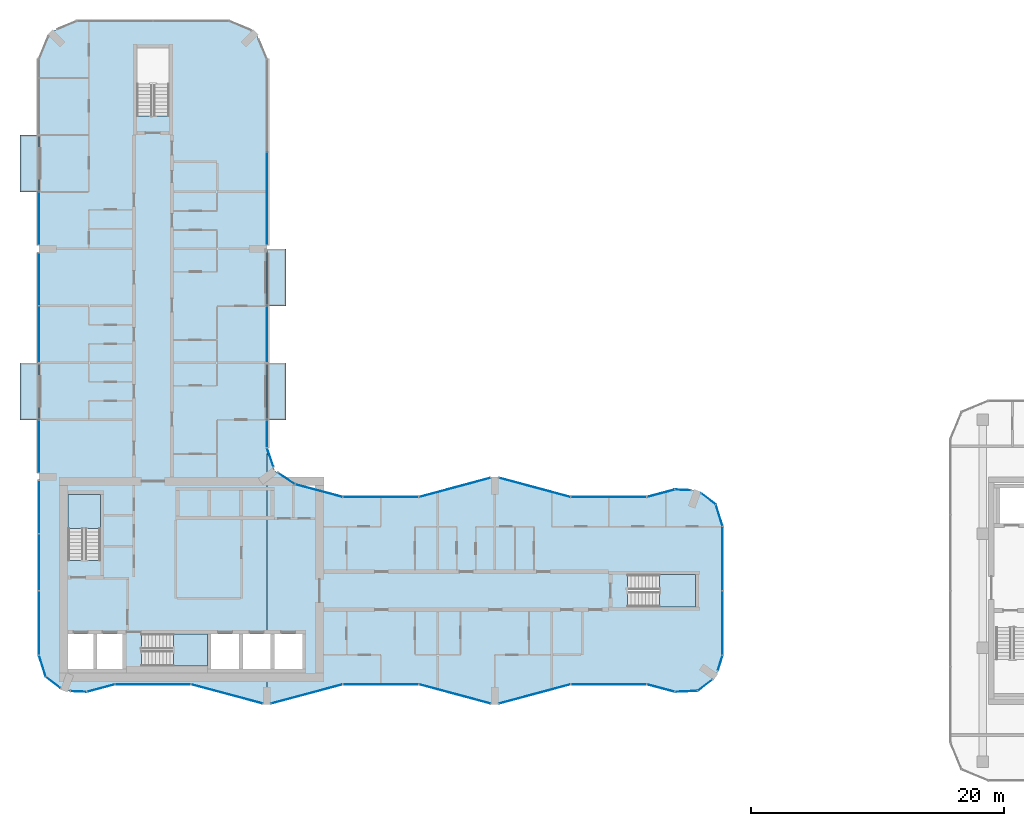
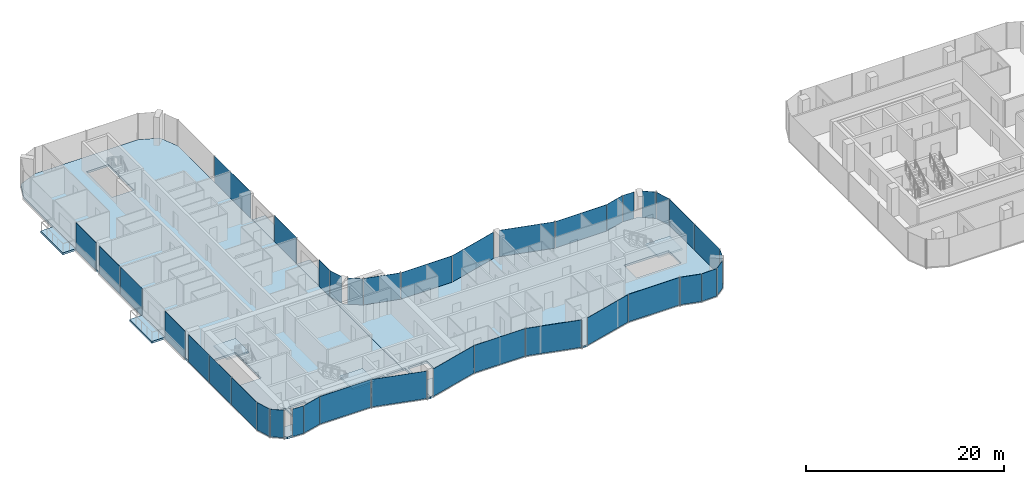
# One storey, part 11 of 23: 38 plates, 9 slabs, 37 elements without a shape of their own.
"""IFC4 building model written with IfcOpenShell, lengths in metres."""

from ifc_helpers import new_model, si_unit, direction, frame, origin, origin_2d, place, context, subcontext, project, spatial, polyline, rectangle, outline, extrude, material, layer, layer_set, type_object, element, aggregate, save


model = new_model("IFC4")

# Units and contexts
model_context = context("Model", 3, precision=1e-05, world=origin(), true_north=direction((0.0, 1.0)))
body_context = subcontext(model_context, "Body", "Model", "MODEL_VIEW")
ifc_project = project(units=[si_unit("LENGTHUNIT", "METRE"), si_unit("AREAUNIT", "SQUARE_METRE"), si_unit("VOLUMEUNIT", "CUBIC_METRE"), si_unit("PLANEANGLEUNIT", "RADIAN"), si_unit("MASSUNIT", "GRAM", prefix="KILO")], contexts=[model_context])

# Site, building, storey
site_placement = place(None, origin())
site = spatial("IfcSite", under=ifc_project, at=site_placement, CompositionType="ELEMENT")
building_placement = place(site_placement, origin())
building = spatial("IfcBuilding", under=site, at=building_placement, Name="Plateau Cross Towers", CompositionType="ELEMENT")
storey_placement = place(building_placement, frame((0.0, 0.0, 81.800048828125)))
storey = spatial("IfcBuildingStorey", under=building, at=storey_placement, Name="L20", CompositionType="ELEMENT", Elevation=81.800048828125)

# Slabs
ifc_material_1 = material(Name="Concrete C40/50", Category="concrete")
ifc_layer_1 = layer(ifc_material_1, 0.25)
ifc_layer_set_1 = layer_set([ifc_layer_1], Name="Concrete C40/50")
slab_type_1 = type_object("IfcSlabType", Name="Balcony slab 250", PredefinedType="FLOOR", material=ifc_layer_set_1)
slab_1_placement = place(storey_placement, frame((0.0, 0.0, -0.25)))
element("IfcSlab", 1, at=slab_1_placement, inside=storey, type_object=slab_type_1, Name="Balcony slab A-BAL-L20-01", PredefinedType="FLOOR", context=body_context, shape_type="SweptSolid", body=[
    extrude(outline(polyline([(0.0, 22.5), (0.0, 27.0), (-1.5, 27.0), (-1.5, 22.5), (0.0, 22.5)])), origin(), (0.0, 0.0, 1.0), 0.25),
])
slab_2_placement = place(storey_placement, frame((0.0, 0.0, -0.25)))
element("IfcSlab", 2, at=slab_2_placement, inside=storey, type_object=slab_type_1, Name="Balcony slab A-BAL-L20-02", PredefinedType="FLOOR", context=body_context, shape_type="SweptSolid", body=[
    extrude(outline(polyline([(0.0, 40.5), (0.0, 45.0), (-1.5, 45.0), (-1.5, 40.5), (0.0, 40.5)])), origin(), (0.0, 0.0, 1.0), 0.25),
])
slab_3_placement = place(storey_placement, frame((0.0, 0.0, -0.25)))
element("IfcSlab", 3, at=slab_3_placement, inside=storey, type_object=slab_type_1, Name="Balcony slab A-BAL-L20-03", PredefinedType="FLOOR", context=body_context, shape_type="SweptSolid", body=[
    extrude(outline(polyline([(19.5, 22.5), (19.5, 27.0), (18.0, 27.0), (18.0, 22.5), (19.5, 22.5)])), origin(), (0.0, 0.0, 1.0), 0.25),
])
slab_4_placement = place(storey_placement, frame((0.0, 0.0, -0.25)))
element("IfcSlab", 4, at=slab_4_placement, inside=storey, type_object=slab_type_1, Name="Balcony slab A-BAL-L20-04", PredefinedType="FLOOR", context=body_context, shape_type="SweptSolid", body=[
    extrude(outline(polyline([(19.5, 31.5), (19.5, 36.0), (18.0, 36.0), (18.0, 31.5), (19.5, 31.5)])), origin(), (0.0, 0.0, 1.0), 0.25),
])

# Curtain wall, plate
ifc_material_2 = material(Name="Dark low-iron glass", Category="glass")
ifc_layer_2 = layer(ifc_material_2, 0.239990234375)
ifc_layer_set_2 = layer_set([ifc_layer_2], Name="Dark low-iron glass")
curtain_wall_type_1 = type_object("IfcCurtainWallType", Name="Curtain wall flush unitised CW-B", PredefinedType="NOTDEFINED", material=ifc_layer_set_2)
curtain_wall_1_placement = place(storey_placement, origin())
curtain_wall_1 = element("IfcCurtainWall", 5, at=curtain_wall_1_placement, inside=storey, type_object=curtain_wall_type_1, Name="ENV/A/L20/A502_10", PredefinedType="NOTDEFINED")
ifc_layer_3 = layer(ifc_material_2, 0.031982421875)
ifc_layer_set_3 = layer_set([ifc_layer_3], Name="Dark low-iron glass")
plate_type_1 = type_object("IfcPlateType", Name="Glass panel 32 flush unitised", PredefinedType="CURTAIN_PANEL", material=ifc_layer_set_3)
plate_1_placement = place(storey_placement, frame((51.125, 1.05078125, -0.1298828125), z_axis=(0.0, 0.0, 1.0), x_axis=(0.999043701491, 0.043722791671, 0.0)))
plate_1 = element("IfcPlate", 6, at=plate_1_placement, type_object=plate_type_1, Name="CW-B panel 1", PredefinedType="CURTAIN_PANEL", context=body_context, shape_type="SweptSolid", body=[
    extrude(rectangle(XDim=1.744140625, YDim=0.031982421875, at=origin_2d()), origin(), (0.0, 0.0, 1.0), 3.3798828125),
])
aggregate(curtain_wall_1, [plate_1])

curtain_wall_2_placement = place(storey_placement, origin())
curtain_wall_2 = element("IfcCurtainWall", 7, at=curtain_wall_2_placement, inside=storey, type_object=curtain_wall_type_1, Name="ENV/A/L20/A520_11", PredefinedType="NOTDEFINED")
plate_2_placement = place(storey_placement, frame((52.60986328125, 1.5380859375, -0.1298828125), z_axis=(0.0, 0.0, 1.0), x_axis=(0.793315514529, 0.608810721331, 0.0)))
plate_2 = element("IfcPlate", 8, at=plate_2_placement, type_object=plate_type_1, Name="CW-B panel 1", PredefinedType="CURTAIN_PANEL", context=body_context, shape_type="SweptSolid", body=[
    extrude(rectangle(XDim=1.41162109375, YDim=0.031982421875, at=origin_2d()), origin(), (0.0, 0.0, 1.0), 3.3798828125),
])
aggregate(curtain_wall_2, [plate_2])

curtain_wall_3_placement = place(storey_placement, origin())
curtain_wall_3 = element("IfcCurtainWall", 9, at=curtain_wall_3_placement, inside=storey, type_object=curtain_wall_type_1, Name="ENV/A/L20/A536_27", PredefinedType="NOTDEFINED")
plate_3_placement = place(storey_placement, frame((53.805419921875, 3.292236328125, -0.1298828125), z_axis=(0.0, 0.0, 1.0), x_axis=(0.300686174994, 0.95372313811, 0.0)))
plate_3 = element("IfcPlate", 10, at=plate_3_placement, type_object=plate_type_1, Name="CW-B panel 1", PredefinedType="CURTAIN_PANEL", context=body_context, shape_type="SweptSolid", body=[
    extrude(rectangle(XDim=1.233642578125, YDim=0.031982421875, at=origin_2d()), origin(), (0.0, 0.0, 1.0), 3.3798828125),
])
aggregate(curtain_wall_3, [plate_3])

# Curtain wall, plates
curtain_wall_4_placement = place(storey_placement, origin())
curtain_wall_4 = element("IfcCurtainWall", 11, at=curtain_wall_4_placement, inside=storey, type_object=curtain_wall_type_1, Name="ENV/A/L20/A540_39", PredefinedType="NOTDEFINED")
plate_4_placement = place(storey_placement, frame((54.0, 6.45458984375, -0.1298828125), z_axis=(0.0, 0.0, 1.0), x_axis=(0.0, 1.0, 0.0)))
plate_4 = element("IfcPlate", 12, at=plate_4_placement, type_object=plate_type_1, Name="CW-B panel 1", PredefinedType="CURTAIN_PANEL", context=body_context, shape_type="SweptSolid", body=[
    extrude(rectangle(XDim=5.03076171875, YDim=0.031982421875, at=origin_2d()), origin(), (0.0, 0.0, 1.0), 3.3798828125),
])
plate_5_placement = place(storey_placement, frame((54.0, 11.54541015625, -0.1298828125), z_axis=(0.0, 0.0, 1.0), x_axis=(0.0, 1.0, 0.0)))
plate_5 = element("IfcPlate", 13, at=plate_5_placement, type_object=plate_type_1, Name="CW-B panel 2", PredefinedType="CURTAIN_PANEL", context=body_context, shape_type="SweptSolid", body=[
    extrude(rectangle(XDim=5.03076171875, YDim=0.031982421875, at=origin_2d()), origin(), (0.0, 0.0, 1.0), 3.3798828125),
])
aggregate(curtain_wall_4, [plate_4, plate_5])

# Curtain wall, plate
curtain_wall_5_placement = place(storey_placement, origin())
curtain_wall_5 = element("IfcCurtainWall", 14, at=curtain_wall_5_placement, inside=storey, type_object=curtain_wall_type_1, Name="ENV/A/L20/A540_141", PredefinedType="NOTDEFINED")
plate_6_placement = place(storey_placement, frame((53.728759765625, 14.951171875, -0.1298828125), z_axis=(0.0, 0.0, 1.0), x_axis=(-0.300686174994, 0.95372313811, 0.0)))
plate_6 = element("IfcPlate", 15, at=plate_6_placement, type_object=plate_type_1, Name="CW-B panel 1", PredefinedType="CURTAIN_PANEL", context=body_context, shape_type="SweptSolid", body=[
    extrude(rectangle(XDim=1.744140625, YDim=0.031982421875, at=origin_2d()), origin(), (0.0, 0.0, 1.0), 3.3798828125),
])
aggregate(curtain_wall_5, [plate_6])

curtain_wall_6_placement = place(storey_placement, origin())
curtain_wall_6 = element("IfcCurtainWall", 16, at=curtain_wall_6_placement, inside=storey, type_object=curtain_wall_type_1, Name="ENV/A/L20/A535_158", PredefinedType="NOTDEFINED")
plate_7_placement = place(storey_placement, frame((52.873779296875, 16.25927734375, -0.1298828125), z_axis=(0.0, 0.0, 1.0), x_axis=(-0.793315514529, 0.608810721331, 0.0)))
plate_7 = element("IfcPlate", 17, at=plate_7_placement, type_object=plate_type_1, Name="CW-B panel 1", PredefinedType="CURTAIN_PANEL", context=body_context, shape_type="SweptSolid", body=[
    extrude(rectangle(XDim=1.41162109375, YDim=0.031982421875, at=origin_2d()), origin(), (0.0, 0.0, 1.0), 3.3798828125),
])
aggregate(curtain_wall_6, [plate_7])

curtain_wall_7_placement = place(storey_placement, origin())
curtain_wall_7 = element("IfcCurtainWall", 18, at=curtain_wall_7_placement, inside=storey, type_object=curtain_wall_type_1, Name="ENV/A/L20/A515_169", PredefinedType="NOTDEFINED")
plate_8_placement = place(storey_placement, frame((50.8701171875, 16.96044921875, -0.1298828125), z_axis=(0.0, 0.0, 1.0), x_axis=(-0.999043701491, 0.043722791671, 0.0)))
plate_8 = element("IfcPlate", 19, at=plate_8_placement, type_object=plate_type_1, Name="CW-B panel 1", PredefinedType="CURTAIN_PANEL", context=body_context, shape_type="SweptSolid", body=[
    extrude(rectangle(XDim=1.233642578125, YDim=0.031982421875, at=origin_2d()), origin(), (0.0, 0.0, 1.0), 3.3798828125),
])
aggregate(curtain_wall_7, [plate_8])

curtain_wall_8_placement = place(storey_placement, origin())
curtain_wall_8 = element("IfcCurtainWall", 20, at=curtain_wall_8_placement, inside=storey, type_object=curtain_wall_type_1, Name="ENV/A/L20/A202_174", PredefinedType="NOTDEFINED")
plate_9_placement = place(storey_placement, frame((19.546630859375, 17.856689453125, -0.1298828125), z_axis=(0.0, 0.0, 1.0), x_axis=(-0.831521253329, 0.555492938984, 0.0)))
plate_9 = element("IfcPlate", 21, at=plate_9_placement, type_object=plate_type_1, Name="CW-B panel 1", PredefinedType="CURTAIN_PANEL", context=body_context, shape_type="SweptSolid", body=[
    extrude(rectangle(XDim=1.56884765625, YDim=0.031982421875, at=origin_2d()), origin(), (0.0, 0.0, 1.0), 3.3798828125),
])
aggregate(curtain_wall_8, [plate_9])

curtain_wall_9_placement = place(storey_placement, origin())
curtain_wall_9 = element("IfcCurtainWall", 22, at=curtain_wall_9_placement, inside=storey, type_object=curtain_wall_type_1, Name="ENV/A/L20/A185_188", PredefinedType="NOTDEFINED")
plate_10_placement = place(storey_placement, frame((18.26171875, 19.531005859375, -0.1298828125), z_axis=(0.0, 0.0, 1.0), x_axis=(-0.321469161574, 0.94692004845, 0.0)))
plate_10 = element("IfcPlate", 23, at=plate_10_placement, type_object=plate_type_1, Name="CW-B panel 1", PredefinedType="CURTAIN_PANEL", context=body_context, shape_type="SweptSolid", body=[
    extrude(rectangle(XDim=1.56884765625, YDim=0.031982421875, at=origin_2d()), origin(), (0.0, 0.0, 1.0), 3.3798828125),
])
aggregate(curtain_wall_9, [plate_10])

curtain_wall_10_placement = place(storey_placement, origin())
curtain_wall_10 = element("IfcCurtainWall", 24, at=curtain_wall_10_placement, inside=storey, type_object=curtain_wall_type_1, Name="ENV/A/L20/A180_203", PredefinedType="NOTDEFINED")
plate_11_placement = place(storey_placement, frame((18.0, 21.396240234375, -0.1298828125), z_axis=(0.0, 0.0, 1.0), x_axis=(0.0, 1.0, 0.0)))
plate_11 = element("IfcPlate", 25, at=plate_11_placement, type_object=plate_type_1, Name="CW-B panel 1", PredefinedType="CURTAIN_PANEL", context=body_context, shape_type="SweptSolid", body=[
    extrude(rectangle(XDim=2.127685546875, YDim=0.031982421875, at=origin_2d()), origin(), (0.0, 0.0, 1.0), 3.3798828125),
])
aggregate(curtain_wall_10, [plate_11])

curtain_wall_11_placement = place(storey_placement, origin())
curtain_wall_11 = element("IfcCurtainWall", 26, at=curtain_wall_11_placement, inside=storey, type_object=curtain_wall_type_1, Name="ENV/A/L20/A180_270", PredefinedType="NOTDEFINED")
plate_12_placement = place(storey_placement, frame((18.0, 29.25, -0.1298828125), z_axis=(0.0, 0.0, 1.0), x_axis=(0.0, 1.0, 0.0)))
plate_12 = element("IfcPlate", 27, at=plate_12_placement, type_object=plate_type_1, Name="CW-B panel 1", PredefinedType="CURTAIN_PANEL", context=body_context, shape_type="SweptSolid", body=[
    extrude(rectangle(XDim=4.419921875, YDim=0.031982421875, at=origin_2d()), origin(), (0.0, 0.0, 1.0), 3.3798828125),
])
aggregate(curtain_wall_11, [plate_12])

curtain_wall_12_placement = place(storey_placement, origin())
curtain_wall_12 = element("IfcCurtainWall", 28, at=curtain_wall_12_placement, inside=storey, type_object=curtain_wall_type_1, Name="ENV/A/L20/A180_363", PredefinedType="NOTDEFINED")
plate_13_placement = place(storey_placement, frame((18.0, 39.97509765625, -0.1298828125), z_axis=(0.0, 0.0, 1.0), x_axis=(0.0, 1.0, 0.0)))
plate_13 = element("IfcPlate", 29, at=plate_13_placement, type_object=plate_type_1, Name="CW-B panel 1", PredefinedType="CURTAIN_PANEL", context=body_context, shape_type="SweptSolid", body=[
    extrude(rectangle(XDim=7.2900390625, YDim=0.031982421875, at=origin_2d()), origin(), (0.0, 0.0, 1.0), 3.3798828125),
])
aggregate(curtain_wall_12, [plate_13])

curtain_wall_13_placement = place(storey_placement, origin())
curtain_wall_13 = element("IfcCurtainWall", 30, at=curtain_wall_13_placement, inside=storey, type_object=curtain_wall_type_1, Name="ENV/A/L20/A0_405", PredefinedType="NOTDEFINED")
plate_14_placement = place(storey_placement, frame((0.0, 38.39501953125, -0.1298828125), z_axis=(0.0, 0.0, 1.0), x_axis=(0.0, -1.0, 0.0)))
plate_14 = element("IfcPlate", 31, at=plate_14_placement, type_object=plate_type_1, Name="CW-B panel 1", PredefinedType="CURTAIN_PANEL", context=body_context, shape_type="SweptSolid", body=[
    extrude(rectangle(XDim=4.1298828125, YDim=0.031982421875, at=origin_2d()), origin(), (0.0, 0.0, 1.0), 3.3798828125),
])
aggregate(curtain_wall_13, [plate_14])

# Curtain wall, plates
curtain_wall_14_placement = place(storey_placement, origin())
curtain_wall_14 = element("IfcCurtainWall", 32, at=curtain_wall_14_placement, inside=storey, type_object=curtain_wall_type_1, Name="ENV/A/L20/A0_357", PredefinedType="NOTDEFINED")
plate_15_placement = place(storey_placement, frame((0.0, 33.60009765625, -0.1298828125), z_axis=(0.0, 0.0, 1.0), x_axis=(0.0, -1.0, 0.0)))
plate_15 = element("IfcPlate", 33, at=plate_15_placement, type_object=plate_type_1, Name="CW-B panel 1", PredefinedType="CURTAIN_PANEL", context=body_context, shape_type="SweptSolid", body=[
    extrude(rectangle(XDim=4.139892578125, YDim=0.031982421875, at=origin_2d()), origin(), (0.0, 0.0, 1.0), 3.3798828125),
])
plate_16_placement = place(storey_placement, frame((0.0, 29.2548828125, -0.1298828125), z_axis=(0.0, 0.0, 1.0), x_axis=(0.0, -1.0, 0.0)))
plate_16 = element("IfcPlate", 34, at=plate_16_placement, type_object=plate_type_1, Name="CW-B panel 2", PredefinedType="CURTAIN_PANEL", context=body_context, shape_type="SweptSolid", body=[
    extrude(rectangle(XDim=4.429931640625, YDim=0.031982421875, at=origin_2d()), origin(), (0.0, 0.0, 1.0), 3.3798828125),
])
aggregate(curtain_wall_14, [plate_15, plate_16])

# Curtain wall, plate
curtain_wall_15_placement = place(storey_placement, origin())
curtain_wall_15 = element("IfcCurtainWall", 35, at=curtain_wall_15_placement, inside=storey, type_object=curtain_wall_type_1, Name="ENV/A/L20/A0_225", PredefinedType="NOTDEFINED")
plate_17_placement = place(storey_placement, frame((0.0, 20.39501953125, -0.1298828125), z_axis=(0.0, 0.0, 1.0), x_axis=(0.0, -1.0, 0.0)))
plate_17 = element("IfcPlate", 36, at=plate_17_placement, type_object=plate_type_1, Name="CW-B panel 1", PredefinedType="CURTAIN_PANEL", context=body_context, shape_type="SweptSolid", body=[
    extrude(rectangle(XDim=4.1298828125, YDim=0.031982421875, at=origin_2d()), origin(), (0.0, 0.0, 1.0), 3.3798828125),
])
aggregate(curtain_wall_15, [plate_17])

# Curtain wall, plates
curtain_wall_16_placement = place(storey_placement, origin())
curtain_wall_16 = element("IfcCurtainWall", 37, at=curtain_wall_16_placement, inside=storey, type_object=curtain_wall_type_1, Name="ENV/A/L20/A0_177", PredefinedType="NOTDEFINED")
plate_18_placement = place(storey_placement, frame((0.0, 15.60009765625, -0.1298828125), z_axis=(0.0, 0.0, 1.0), x_axis=(0.0, -1.0, 0.0)))
plate_18 = element("IfcPlate", 38, at=plate_18_placement, type_object=plate_type_1, Name="CW-B panel 1", PredefinedType="CURTAIN_PANEL", context=body_context, shape_type="SweptSolid", body=[
    extrude(rectangle(XDim=4.139892578125, YDim=0.031982421875, at=origin_2d()), origin(), (0.0, 0.0, 1.0), 3.3798828125),
])
plate_19_placement = place(storey_placement, frame((0.0, 11.25, -0.1298828125), z_axis=(0.0, 0.0, 1.0), x_axis=(0.0, -1.0, 0.0)))
plate_19 = element("IfcPlate", 39, at=plate_19_placement, type_object=plate_type_1, Name="CW-B panel 2", PredefinedType="CURTAIN_PANEL", context=body_context, shape_type="SweptSolid", body=[
    extrude(rectangle(XDim=4.43994140625, YDim=0.031982421875, at=origin_2d()), origin(), (0.0, 0.0, 1.0), 3.3798828125),
])
plate_20_placement = place(storey_placement, frame((0.0, 6.45458984375, -0.1298828125), z_axis=(0.0, 0.0, 1.0), x_axis=(0.0, -1.0, 0.0)))
plate_20 = element("IfcPlate", 40, at=plate_20_placement, type_object=plate_type_1, Name="CW-B panel 3", PredefinedType="CURTAIN_PANEL", context=body_context, shape_type="SweptSolid", body=[
    extrude(rectangle(XDim=5.03076171875, YDim=0.031982421875, at=origin_2d()), origin(), (0.0, 0.0, 1.0), 3.3798828125),
])
aggregate(curtain_wall_16, [plate_18, plate_19, plate_20])

# Curtain wall, plate
curtain_wall_17_placement = place(storey_placement, origin())
curtain_wall_17 = element("IfcCurtainWall", 41, at=curtain_wall_17_placement, inside=storey, type_object=curtain_wall_type_1, Name="ENV/A/L20/A0_39", PredefinedType="NOTDEFINED")
plate_21_placement = place(storey_placement, frame((0.271240234375, 3.048828125, -0.1298828125), z_axis=(0.0, 0.0, 1.0), x_axis=(0.300686174994, -0.95372313811, 0.0)))
plate_21 = element("IfcPlate", 42, at=plate_21_placement, type_object=plate_type_1, Name="CW-B panel 1", PredefinedType="CURTAIN_PANEL", context=body_context, shape_type="SweptSolid", body=[
    extrude(rectangle(XDim=1.744140625, YDim=0.031982421875, at=origin_2d()), origin(), (0.0, 0.0, 1.0), 3.3798828125),
])
aggregate(curtain_wall_17, [plate_21])

curtain_wall_18_placement = place(storey_placement, origin())
curtain_wall_18 = element("IfcCurtainWall", 43, at=curtain_wall_18_placement, inside=storey, type_object=curtain_wall_type_1, Name="ENV/A/L20/A5_22", PredefinedType="NOTDEFINED")
plate_22_placement = place(storey_placement, frame((1.126220703125, 1.74072265625, -0.1298828125), z_axis=(0.0, 0.0, 1.0), x_axis=(0.793315514529, -0.608810721331, 0.0)))
plate_22 = element("IfcPlate", 44, at=plate_22_placement, type_object=plate_type_1, Name="CW-B panel 1", PredefinedType="CURTAIN_PANEL", context=body_context, shape_type="SweptSolid", body=[
    extrude(rectangle(XDim=1.41162109375, YDim=0.031982421875, at=origin_2d()), origin(), (0.0, 0.0, 1.0), 3.3798828125),
])
aggregate(curtain_wall_18, [plate_22])

curtain_wall_19_placement = place(storey_placement, origin())
curtain_wall_19 = element("IfcCurtainWall", 45, at=curtain_wall_19_placement, inside=storey, type_object=curtain_wall_type_1, Name="ENV/A/L20/A25_11", PredefinedType="NOTDEFINED")
plate_23_placement = place(storey_placement, frame((3.1298828125, 1.03955078125, -0.1298828125), z_axis=(0.0, 0.0, 1.0), x_axis=(0.999043701491, -0.043722791671, 0.0)))
plate_23 = element("IfcPlate", 46, at=plate_23_placement, type_object=plate_type_1, Name="CW-B panel 1", PredefinedType="CURTAIN_PANEL", context=body_context, shape_type="SweptSolid", body=[
    extrude(rectangle(XDim=1.233642578125, YDim=0.031982421875, at=origin_2d()), origin(), (0.0, 0.0, 1.0), 3.3798828125),
])
aggregate(curtain_wall_19, [plate_23])

ifc_layer_4 = layer(ifc_material_2, 0.260009765625)
ifc_layer_set_4 = layer_set([ifc_layer_4], Name="Dark low-iron glass")
curtain_wall_type_2 = type_object("IfcCurtainWallType", Name="Curtain wall fluted unitised CW-A", PredefinedType="NOTDEFINED", material=ifc_layer_set_4)
curtain_wall_20_placement = place(storey_placement, origin())
curtain_wall_20 = element("IfcCurtainWall", 47, at=curtain_wall_20_placement, inside=storey, type_object=curtain_wall_type_2, Name="ENV/A/L20/A38_10", PredefinedType="NOTDEFINED")
ifc_layer_5 = layer(ifc_material_2, 0.035888671875)
ifc_layer_set_5 = layer_set([ifc_layer_5], Name="Dark low-iron glass")
plate_type_2 = type_object("IfcPlateType", Name="Glass panel 36 fluted unitised", PredefinedType="CURTAIN_PANEL", material=ifc_layer_set_5)
plate_24_placement = place(storey_placement, frame((4.887939453125, 1.30908203125, -0.1298828125), z_axis=(0.0, 0.0, 1.0), x_axis=(0.965957962328, 0.258699081978, 0.0)))
plate_24 = element("IfcPlate", 48, at=plate_24_placement, type_object=plate_type_2, Name="CW-A panel 1", PredefinedType="CURTAIN_PANEL", context=body_context, shape_type="SweptSolid", body=[
    extrude(rectangle(XDim=2.2421875, YDim=0.035888671875, at=origin_2d()), origin(), (0.0, 0.0, 1.0), 3.3798828125),
])
aggregate(curtain_wall_20, [plate_24])

curtain_wall_21_placement = place(storey_placement, origin())
curtain_wall_21 = element("IfcCurtainWall", 49, at=curtain_wall_21_placement, inside=storey, type_object=curtain_wall_type_2, Name="ENV/A/L20/A60_16", PredefinedType="NOTDEFINED")
plate_25_placement = place(storey_placement, frame((9.0, 1.60693359375, -0.1298828125), z_axis=(0.0, 0.0, 1.0), x_axis=(1.0, 0.0, 0.0)))
plate_25 = element("IfcPlate", 50, at=plate_25_placement, type_object=plate_type_2, Name="CW-A panel 1", PredefinedType="CURTAIN_PANEL", context=body_context, shape_type="SweptSolid", body=[
    extrude(rectangle(XDim=5.93994140625, YDim=0.035888671875, at=origin_2d()), origin(), (0.0, 0.0, 1.0), 3.3798828125),
])
aggregate(curtain_wall_21, [plate_25])

curtain_wall_22_placement = place(storey_placement, origin())
curtain_wall_22 = element("IfcCurtainWall", 51, at=curtain_wall_22_placement, inside=storey, type_object=curtain_wall_type_2, Name="ENV/A/L20/A120_16", PredefinedType="NOTDEFINED")
plate_26_placement = place(storey_placement, frame((14.841064453125, 0.845947265625, -0.1298828125), z_axis=(0.0, 0.0, 1.0), x_axis=(0.965957983404, -0.258699003279, 0.0)))
plate_26 = element("IfcPlate", 52, at=plate_26_placement, type_object=plate_type_2, Name="CW-A panel 1", PredefinedType="CURTAIN_PANEL", context=body_context, shape_type="SweptSolid", body=[
    extrude(rectangle(XDim=5.822265625, YDim=0.035888671875, at=origin_2d()), origin(), (0.0, 0.0, 1.0), 3.3798828125),
])
aggregate(curtain_wall_22, [plate_26])

curtain_wall_23_placement = place(storey_placement, origin())
curtain_wall_23 = element("IfcCurtainWall", 53, at=curtain_wall_23_placement, inside=storey, type_object=curtain_wall_type_2, Name="ENV/A/L20/A183_1", PredefinedType="NOTDEFINED")
plate_27_placement = place(storey_placement, frame((21.158935546875, 0.845947265625, -0.1298828125), z_axis=(0.0, 0.0, 1.0), x_axis=(0.965957983404, 0.258699003279, 0.0)))
plate_27 = element("IfcPlate", 54, at=plate_27_placement, type_object=plate_type_2, Name="CW-A panel 1", PredefinedType="CURTAIN_PANEL", context=body_context, shape_type="SweptSolid", body=[
    extrude(rectangle(XDim=5.822265625, YDim=0.035888671875, at=origin_2d()), origin(), (0.0, 0.0, 1.0), 3.3798828125),
])
aggregate(curtain_wall_23, [plate_27])

curtain_wall_24_placement = place(storey_placement, origin())
curtain_wall_24 = element("IfcCurtainWall", 55, at=curtain_wall_24_placement, inside=storey, type_object=curtain_wall_type_2, Name="ENV/A/L20/A240_16", PredefinedType="NOTDEFINED")
plate_28_placement = place(storey_placement, frame((27.0, 1.60693359375, -0.1298828125), z_axis=(0.0, 0.0, 1.0), x_axis=(1.0, 0.0, 0.0)))
plate_28 = element("IfcPlate", 56, at=plate_28_placement, type_object=plate_type_2, Name="CW-A panel 1", PredefinedType="CURTAIN_PANEL", context=body_context, shape_type="SweptSolid", body=[
    extrude(rectangle(XDim=5.93994140625, YDim=0.035888671875, at=origin_2d()), origin(), (0.0, 0.0, 1.0), 3.3798828125),
])
aggregate(curtain_wall_24, [plate_28])

curtain_wall_25_placement = place(storey_placement, origin())
curtain_wall_25 = element("IfcCurtainWall", 57, at=curtain_wall_25_placement, inside=storey, type_object=curtain_wall_type_2, Name="ENV/A/L20/A300_16", PredefinedType="NOTDEFINED")
plate_29_placement = place(storey_placement, frame((32.841064453125, 0.845947265625, -0.1298828125), z_axis=(0.0, 0.0, 1.0), x_axis=(0.965957983404, -0.258699003279, 0.0)))
plate_29 = element("IfcPlate", 58, at=plate_29_placement, type_object=plate_type_2, Name="CW-A panel 1", PredefinedType="CURTAIN_PANEL", context=body_context, shape_type="SweptSolid", body=[
    extrude(rectangle(XDim=5.822265625, YDim=0.035888671875, at=origin_2d()), origin(), (0.0, 0.0, 1.0), 3.3798828125),
])
aggregate(curtain_wall_25, [plate_29])

curtain_wall_26_placement = place(storey_placement, origin())
curtain_wall_26 = element("IfcCurtainWall", 59, at=curtain_wall_26_placement, inside=storey, type_object=curtain_wall_type_2, Name="ENV/A/L20/A363_1", PredefinedType="NOTDEFINED")
plate_30_placement = place(storey_placement, frame((39.158935546875, 0.845947265625, -0.1298828125), z_axis=(0.0, 0.0, 1.0), x_axis=(0.965957983404, 0.258699003279, 0.0)))
plate_30 = element("IfcPlate", 60, at=plate_30_placement, type_object=plate_type_2, Name="CW-A panel 1", PredefinedType="CURTAIN_PANEL", context=body_context, shape_type="SweptSolid", body=[
    extrude(rectangle(XDim=5.822265625, YDim=0.035888671875, at=origin_2d()), origin(), (0.0, 0.0, 1.0), 3.3798828125),
])
aggregate(curtain_wall_26, [plate_30])

curtain_wall_27_placement = place(storey_placement, origin())
curtain_wall_27 = element("IfcCurtainWall", 61, at=curtain_wall_27_placement, inside=storey, type_object=curtain_wall_type_2, Name="ENV/A/L20/A420_16", PredefinedType="NOTDEFINED")
plate_31_placement = place(storey_placement, frame((45.0, 1.60693359375, -0.1298828125), z_axis=(0.0, 0.0, 1.0), x_axis=(1.0, 0.0, 0.0)))
plate_31 = element("IfcPlate", 62, at=plate_31_placement, type_object=plate_type_2, Name="CW-A panel 1", PredefinedType="CURTAIN_PANEL", context=body_context, shape_type="SweptSolid", body=[
    extrude(rectangle(XDim=5.93994140625, YDim=0.035888671875, at=origin_2d()), origin(), (0.0, 0.0, 1.0), 3.3798828125),
])
aggregate(curtain_wall_27, [plate_31])

curtain_wall_28_placement = place(storey_placement, origin())
curtain_wall_28 = element("IfcCurtainWall", 63, at=curtain_wall_28_placement, inside=storey, type_object=curtain_wall_type_2, Name="ENV/A/L20/A480_16", PredefinedType="NOTDEFINED")
plate_32_placement = place(storey_placement, frame((49.112060546875, 1.30908203125, -0.1298828125), z_axis=(0.0, 0.0, 1.0), x_axis=(0.965957962328, -0.258699081978, 0.0)))
plate_32 = element("IfcPlate", 64, at=plate_32_placement, type_object=plate_type_2, Name="CW-A panel 1", PredefinedType="CURTAIN_PANEL", context=body_context, shape_type="SweptSolid", body=[
    extrude(rectangle(XDim=2.2421875, YDim=0.035888671875, at=origin_2d()), origin(), (0.0, 0.0, 1.0), 3.3798828125),
])
aggregate(curtain_wall_28, [plate_32])

curtain_wall_29_placement = place(storey_placement, origin())
curtain_wall_29 = element("IfcCurtainWall", 65, at=curtain_wall_29_placement, inside=storey, type_object=curtain_wall_type_2, Name="ENV/A/L20/A502_170", PredefinedType="NOTDEFINED")
plate_33_placement = place(storey_placement, frame((49.112060546875, 16.69091796875, -0.1298828125), z_axis=(0.0, 0.0, 1.0), x_axis=(-0.965957962328, -0.258699081978, 0.0)))
plate_33 = element("IfcPlate", 66, at=plate_33_placement, type_object=plate_type_2, Name="CW-A panel 1", PredefinedType="CURTAIN_PANEL", context=body_context, shape_type="SweptSolid", body=[
    extrude(rectangle(XDim=2.2421875, YDim=0.035888671875, at=origin_2d()), origin(), (0.0, 0.0, 1.0), 3.3798828125),
])
aggregate(curtain_wall_29, [plate_33])

curtain_wall_30_placement = place(storey_placement, origin())
curtain_wall_30 = element("IfcCurtainWall", 67, at=curtain_wall_30_placement, inside=storey, type_object=curtain_wall_type_2, Name="ENV/A/L20/A480_164", PredefinedType="NOTDEFINED")
plate_34_placement = place(storey_placement, frame((45.0, 16.39306640625, -0.1298828125), z_axis=(0.0, 0.0, 1.0), x_axis=(-1.0, 0.0, 0.0)))
plate_34 = element("IfcPlate", 68, at=plate_34_placement, type_object=plate_type_2, Name="CW-A panel 1", PredefinedType="CURTAIN_PANEL", context=body_context, shape_type="SweptSolid", body=[
    extrude(rectangle(XDim=5.93994140625, YDim=0.035888671875, at=origin_2d()), origin(), (0.0, 0.0, 1.0), 3.3798828125),
])
aggregate(curtain_wall_30, [plate_34])

curtain_wall_31_placement = place(storey_placement, origin())
curtain_wall_31 = element("IfcCurtainWall", 69, at=curtain_wall_31_placement, inside=storey, type_object=curtain_wall_type_2, Name="ENV/A/L20/A420_164", PredefinedType="NOTDEFINED")
plate_35_placement = place(storey_placement, frame((39.158935546875, 17.154052734375, -0.1298828125), z_axis=(0.0, 0.0, 1.0), x_axis=(-0.965957983404, 0.258699003279, 0.0)))
plate_35 = element("IfcPlate", 70, at=plate_35_placement, type_object=plate_type_2, Name="CW-A panel 1", PredefinedType="CURTAIN_PANEL", context=body_context, shape_type="SweptSolid", body=[
    extrude(rectangle(XDim=5.822265625, YDim=0.035888671875, at=origin_2d()), origin(), (0.0, 0.0, 1.0), 3.3798828125),
])
aggregate(curtain_wall_31, [plate_35])

curtain_wall_32_placement = place(storey_placement, origin())
curtain_wall_32 = element("IfcCurtainWall", 71, at=curtain_wall_32_placement, inside=storey, type_object=curtain_wall_type_2, Name="ENV/A/L20/A357_179", PredefinedType="NOTDEFINED")
plate_36_placement = place(storey_placement, frame((32.841064453125, 17.154052734375, -0.1298828125), z_axis=(0.0, 0.0, 1.0), x_axis=(-0.965957983404, -0.258699003279, 0.0)))
plate_36 = element("IfcPlate", 72, at=plate_36_placement, type_object=plate_type_2, Name="CW-A panel 1", PredefinedType="CURTAIN_PANEL", context=body_context, shape_type="SweptSolid", body=[
    extrude(rectangle(XDim=5.822265625, YDim=0.035888671875, at=origin_2d()), origin(), (0.0, 0.0, 1.0), 3.3798828125),
])
aggregate(curtain_wall_32, [plate_36])

curtain_wall_33_placement = place(storey_placement, origin())
curtain_wall_33 = element("IfcCurtainWall", 73, at=curtain_wall_33_placement, inside=storey, type_object=curtain_wall_type_2, Name="ENV/A/L20/A300_164", PredefinedType="NOTDEFINED")
plate_37_placement = place(storey_placement, frame((27.0, 16.39306640625, -0.1298828125), z_axis=(0.0, 0.0, 1.0), x_axis=(-1.0, 0.0, 0.0)))
plate_37 = element("IfcPlate", 74, at=plate_37_placement, type_object=plate_type_2, Name="CW-A panel 1", PredefinedType="CURTAIN_PANEL", context=body_context, shape_type="SweptSolid", body=[
    extrude(rectangle(XDim=5.93994140625, YDim=0.035888671875, at=origin_2d()), origin(), (0.0, 0.0, 1.0), 3.3798828125),
])
aggregate(curtain_wall_33, [plate_37])

curtain_wall_34_placement = place(storey_placement, origin())
curtain_wall_34 = element("IfcCurtainWall", 75, at=curtain_wall_34_placement, inside=storey, type_object=curtain_wall_type_2, Name="ENV/A/L20/A240_164", PredefinedType="NOTDEFINED")
plate_38_placement = place(storey_placement, frame((22.112060546875, 16.898681640625, -0.1298828125), z_axis=(0.0, 0.0, 1.0), x_axis=(-0.965957995816, 0.258698956933, 0.0)))
plate_38 = element("IfcPlate", 76, at=plate_38_placement, type_object=plate_type_2, Name="CW-A panel 1", PredefinedType="CURTAIN_PANEL", context=body_context, shape_type="SweptSolid", body=[
    extrude(rectangle(XDim=3.84912109375, YDim=0.035888671875, at=origin_2d()), origin(), (0.0, 0.0, 1.0), 3.3798828125),
])
aggregate(curtain_wall_34, [plate_38])

# Slabs
ifc_layer_6 = layer(ifc_material_1, 0.25)
ifc_layer_set_6 = layer_set([ifc_layer_6], Name="Concrete C40/50")
slab_type_2 = type_object("IfcSlabType", Name="Post-tensioned flat plate slab 250", PredefinedType="FLOOR", material=ifc_layer_set_6)
slab_5_placement = place(storey_placement, frame((0.0, 0.0, -0.25)))
element("IfcSlab", 77, at=slab_5_placement, inside=storey, type_object=slab_type_2, Name="SL-A-L20 1", PredefinedType="FLOOR", context=body_context, shape_type="SweptSolid", body=[
    extrude(outline(polyline([(0.54248046875, 2.1884765625), (0.0, 3.9091796875), (0.0, 51.0), (0.878662109375, 53.121337890625), (3.0, 54.0), (15.0, 54.0), (17.121337890625, 53.121337890625), (18.0, 51.0), (18.0, 20.30224609375), (18.0, 5.60009765625), (16.10009765625, 5.60009765625), (16.10009765625, 2.800048828125), (18.0, 2.800048828125), (18.0, 0.0), (12.0, 1.60693359375), (6.0, 1.60693359375), (3.776123046875, 1.01123046875), (1.9736328125, 1.090087890625), (0.54248046875, 2.1884765625)]), holes=[polyline([(4.300048828125, 5.60009765625), (2.300048828125, 5.60009765625), (2.300048828125, 2.800048828125), (4.300048828125, 2.800048828125), (4.300048828125, 5.60009765625)]), polyline([(6.60009765625, 5.60009765625), (4.60009765625, 5.60009765625), (4.60009765625, 2.800048828125), (6.60009765625, 2.800048828125), (6.60009765625, 5.60009765625)]), polyline([(15.800048828125, 5.60009765625), (13.60009765625, 5.60009765625), (13.60009765625, 2.800048828125), (15.800048828125, 2.800048828125), (15.800048828125, 5.60009765625)]), polyline([(13.300048828125, 5.60009765625), (8.10009765625, 5.60009765625), (8.10009765625, 3.050048828125), (13.300048828125, 3.050048828125), (13.300048828125, 5.60009765625)]), polyline([(4.85009765625, 16.60009765625), (2.300048828125, 16.60009765625), (2.300048828125, 11.39990234375), (4.85009765625, 11.39990234375), (4.85009765625, 16.60009765625)]), polyline([(7.72509765625, 51.699951171875), (7.72509765625, 46.5), (10.27490234375, 46.5), (10.27490234375, 51.699951171875), (7.72509765625, 51.699951171875)])]), origin(), (0.0, 0.0, 1.0), 0.25),
])
slab_6_placement = place(storey_placement, frame((0.0, 0.0, -0.25)))
element("IfcSlab", 78, at=slab_6_placement, inside=storey, type_object=slab_type_2, Name="SL-A-L20 2", PredefinedType="FLOOR", context=body_context, shape_type="SweptSolid", body=[
    extrude(outline(polyline([(18.6201171875, 18.475830078125), (20.223876953125, 17.404296875), (24.0, 16.39306640625), (30.0, 16.39306640625), (36.0, 18.0), (42.0, 16.39306640625), (48.0, 16.39306640625), (50.223876953125, 16.98876953125), (52.0263671875, 16.909912109375), (53.45751953125, 15.8115234375), (54.0, 14.0908203125), (54.0, 3.9091796875), (53.45751953125, 2.1884765625), (52.0263671875, 1.090087890625), (50.223876953125, 1.01123046875), (48.0, 1.60693359375), (42.0, 1.60693359375), (36.0, 0.0), (30.0, 1.60693359375), (24.0, 1.60693359375), (18.0, 0.0), (18.0, 2.800048828125), (18.300048828125, 2.800048828125), (18.300048828125, 5.60009765625), (18.0, 5.60009765625), (18.0, 20.30224609375), (18.6201171875, 18.475830078125)]), holes=[polyline([(20.800048828125, 5.60009765625), (18.60009765625, 5.60009765625), (18.60009765625, 2.800048828125), (20.800048828125, 2.800048828125), (20.800048828125, 5.60009765625)]), polyline([(51.699951171875, 7.72509765625), (51.699951171875, 10.27490234375), (46.5, 10.27490234375), (46.5, 7.72509765625), (51.699951171875, 7.72509765625)])]), origin(), (0.0, 0.0, 1.0), 0.25),
])

# Stair, slab
stair_type = type_object("IfcStairType", Name="ST-TWR", PredefinedType="HALF_TURN_STAIR", material=ifc_material_1)
stair_1_placement = place(storey_placement, origin())
stair_1 = element("IfcStair", 79, at=stair_1_placement, inside=storey, type_object=stair_type, Name="L20 Protected Exit Stair ST-1", PredefinedType="HALF_TURN_STAIR")
ifc_layer_7 = layer(ifc_material_1, 0.199951171875)
ifc_layer_set_7 = layer_set([ifc_layer_7], Name="Concrete C40/50")
slab_type_3 = type_object("IfcSlabType", Name="SL-LANDING", PredefinedType="LANDING", material=ifc_layer_set_7)
slab_7_placement = place(storey_placement, frame((0.0, 0.0, 1.550048828125)))
slab_7 = element("IfcSlab", 80, at=slab_7_placement, type_object=slab_type_3, Name="ST-1 landing 1", PredefinedType="LANDING", context=body_context, shape_type="SweptSolid", body=[
    extrude(outline(polyline([(4.85009765625, 13.919921875), (4.85009765625, 16.60009765625), (2.300048828125, 16.60009765625), (2.300048828125, 13.919921875), (4.85009765625, 13.919921875)])), origin(), (0.0, 0.0, 1.0), 0.199951171875),
])
aggregate(stair_1, [slab_7])

stair_2_placement = place(storey_placement, origin())
stair_2 = element("IfcStair", 81, at=stair_2_placement, inside=storey, type_object=stair_type, Name="L20 Protected Exit Stair ST-2", PredefinedType="HALF_TURN_STAIR")
slab_8_placement = place(storey_placement, frame((0.0, 0.0, 1.550048828125)))
slab_8 = element("IfcSlab", 82, at=slab_8_placement, type_object=slab_type_3, Name="ST-2 landing 1", PredefinedType="LANDING", context=body_context, shape_type="SweptSolid", body=[
    extrude(outline(polyline([(10.6201171875, 3.050048828125), (13.300048828125, 3.050048828125), (13.300048828125, 5.60009765625), (10.6201171875, 5.60009765625), (10.6201171875, 3.050048828125)])), origin(), (0.0, 0.0, 1.0), 0.199951171875),
])
aggregate(stair_2, [slab_8])

stair_3_placement = place(storey_placement, origin())
stair_3 = element("IfcStair", 83, at=stair_3_placement, inside=storey, type_object=stair_type, Name="L20 Protected Exit Stair E", PredefinedType="HALF_TURN_STAIR")
slab_9_placement = place(storey_placement, frame((0.0, 0.0, 1.550048828125)))
slab_9 = element("IfcSlab", 84, at=slab_9_placement, type_object=slab_type_3, Name="ES-E landing 1", PredefinedType="LANDING", context=body_context, shape_type="SweptSolid", body=[
    extrude(outline(polyline([(49.02001953125, 7.72509765625), (51.85009765625, 7.72509765625), (51.85009765625, 10.27490234375), (49.02001953125, 10.27490234375), (49.02001953125, 7.72509765625)])), origin(), (0.0, 0.0, 1.0), 0.199951171875),
])
aggregate(stair_3, [slab_9])

save(model, "model.ifc")
